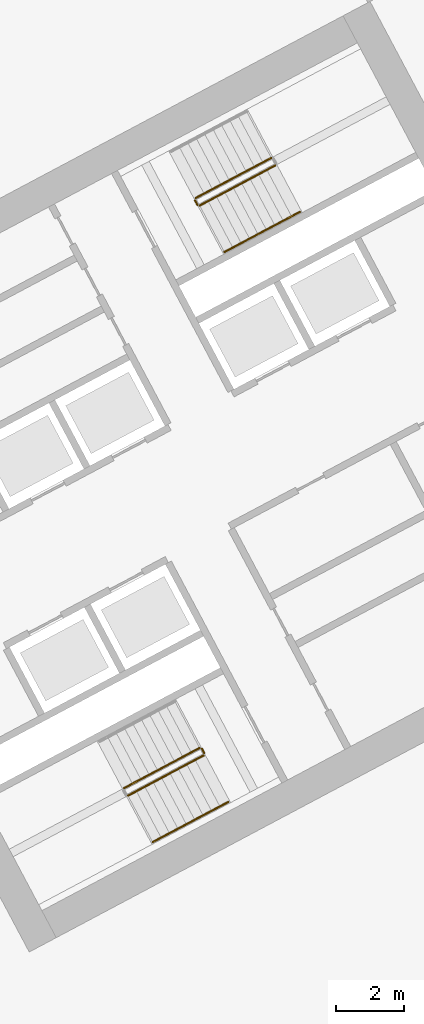
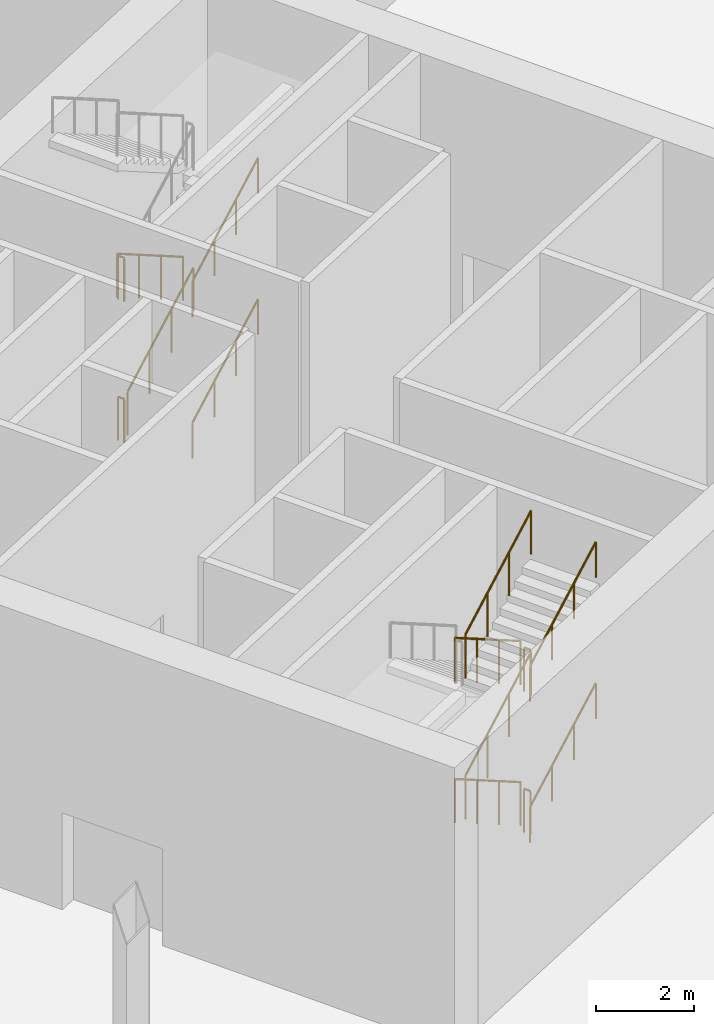
# One storey, part 52 of 57: 14 railings.
"""IFC4 building model written with IfcOpenShell, lengths in metres."""

from ifc_helpers import new_model, si_unit, direction, frame, origin, place, context, subcontext, project, spatial, polyline, outline, extrude, material, type_object, element, save


model = new_model("IFC4")

# Units and contexts
model_context = context("Model", 3, precision=1e-05, world=origin(), true_north=direction((0.0, 1.0)))
body_context = subcontext(model_context, "Body", "Model", "MODEL_VIEW")
ifc_project = project(units=[si_unit("LENGTHUNIT", "METRE"), si_unit("AREAUNIT", "SQUARE_METRE"), si_unit("VOLUMEUNIT", "CUBIC_METRE"), si_unit("PLANEANGLEUNIT", "RADIAN"), si_unit("MASSUNIT", "GRAM", prefix="KILO")], contexts=[model_context])

# Site, building, storey
site_placement = place(None, origin())
site = spatial("IfcSite", under=ifc_project, at=site_placement, CompositionType="ELEMENT")
building_placement = place(site_placement, origin())
building = spatial("IfcBuilding", under=site, at=building_placement, Name="Cormorant Relay Tower", CompositionType="ELEMENT")
storey_placement = place(building_placement, origin())
storey = spatial("IfcBuildingStorey", under=building, at=storey_placement, Name="L00", CompositionType="ELEMENT", Elevation=0.0)

# Railings
ifc_material_1 = material(Name="Steel ASTM A572 Grade 50 (Fy 345 MPa)", Category="steel")
railing_type_1 = type_object("IfcRailingType", Name="Stair guard 1100", PredefinedType="GUARDRAIL", material=ifc_material_1)
railing_1_placement = place(storey_placement, frame((23.83837890625, 4.6904296875, 0.175048828125)))
element("IfcRailing", 1, at=railing_1_placement, inside=storey, type_object=railing_type_1, Name="L00 B1 stair guard 1", PredefinedType="GUARDRAIL", context=body_context, shape_type="SweptSolid", body=[
    extrude(outline(polyline([(0.022216796875, 0.00927734375), (0.00927734375, 0.022216796875), (-0.00927734375, 0.022216796875), (-0.022216796875, 0.00927734375), (-0.022216796875, -0.00927734375), (-0.00927734375, -0.022216796875), (0.00927734375, -0.022216796875), (0.022216796875, -0.00927734375), (0.022216796875, 0.00927734375)])), frame((0.0, 0.0, 1.076171875), z_axis=(-0.74875116571, -0.398118076479, 0.529975177748), x_axis=(0.4694715809, -0.882947583228, 0.0)), (0.0, 0.0, 1.0), 2.9716796875),
    extrude(outline(polyline([(0.019287109375, 0.008056640625), (0.008056640625, 0.019287109375), (-0.008056640625, 0.019287109375), (-0.019287109375, 0.008056640625), (-0.019287109375, -0.008056640625), (-0.008056640625, -0.019287109375), (0.008056640625, -0.019287109375), (0.019287109375, -0.008056640625), (0.019287109375, 0.008056640625)])), origin(), (0.0, 0.0, 1.0), 1.052001953125),
    extrude(outline(polyline([(0.019287109375, 0.008056640625), (0.008056640625, 0.019287109375), (-0.008056640625, 0.019287109375), (-0.019287109375, 0.008056640625), (-0.019287109375, -0.008056640625), (-0.008056640625, -0.019287109375), (0.008056640625, -0.019287109375), (0.019287109375, -0.008056640625), (0.019287109375, 0.008056640625)])), frame((-0.74169921875, -0.394287109375, 0.52490234375)), (0.0, 0.0, 1.0), 1.052001953125),
    extrude(outline(polyline([(0.019287109375, 0.008056640625), (0.008056640625, 0.019287109375), (-0.008056640625, 0.019287109375), (-0.019287109375, 0.008056640625), (-0.019287109375, -0.008056640625), (-0.008056640625, -0.019287109375), (0.008056640625, -0.019287109375), (0.019287109375, -0.008056640625), (0.019287109375, 0.008056640625)])), frame((-1.4833984375, -0.788818359375, 1.050048828125)), (0.0, 0.0, 1.0), 1.052001953125),
    extrude(outline(polyline([(0.019287109375, 0.008056640625), (0.008056640625, 0.019287109375), (-0.008056640625, 0.019287109375), (-0.019287109375, 0.008056640625), (-0.019287109375, -0.008056640625), (-0.008056640625, -0.019287109375), (0.008056640625, -0.019287109375), (0.019287109375, -0.008056640625), (0.019287109375, 0.008056640625)])), frame((-2.22509765625, -1.18310546875, 1.574951171875)), (0.0, 0.0, 1.0), 1.052001953125),
])
railing_2_placement = place(storey_placement, frame((21.730712890625, 3.28662109375, 1.925048828125)))
element("IfcRailing", 2, at=railing_2_placement, inside=storey, type_object=railing_type_1, Name="L00 B1 stair guard 3", PredefinedType="GUARDRAIL", context=body_context, shape_type="SweptSolid", body=[
    extrude(outline(polyline([(0.022216796875, 0.00927734375), (0.00927734375, 0.022216796875), (-0.00927734375, 0.022216796875), (-0.022216796875, 0.00927734375), (-0.022216796875, -0.00927734375), (-0.00927734375, -0.022216796875), (0.00927734375, -0.022216796875), (0.022216796875, -0.00927734375), (0.022216796875, 0.00927734375)])), frame((0.0, 0.0, 1.076171875), z_axis=(0.748715066256, 0.398142566781, 0.530007779262), x_axis=(-0.469511741669, 0.882926228195, 0.0)), (0.0, 0.0, 1.0), 2.9716796875),
    extrude(outline(polyline([(0.019287109375, 0.008056640625), (0.008056640625, 0.019287109375), (-0.008056640625, 0.019287109375), (-0.019287109375, 0.008056640625), (-0.019287109375, -0.008056640625), (-0.008056640625, -0.019287109375), (0.008056640625, -0.019287109375), (0.019287109375, -0.008056640625), (0.019287109375, 0.008056640625)])), origin(), (0.0, 0.0, 1.0), 1.052001953125),
    extrude(outline(polyline([(0.019287109375, 0.008056640625), (0.008056640625, 0.019287109375), (-0.008056640625, 0.019287109375), (-0.019287109375, 0.008056640625), (-0.019287109375, -0.008056640625), (-0.008056640625, -0.019287109375), (0.008056640625, -0.019287109375), (0.019287109375, -0.008056640625), (0.019287109375, 0.008056640625)])), frame((0.74169921875, 0.394287109375, 0.52490234375)), (0.0, 0.0, 1.0), 1.052001953125),
    extrude(outline(polyline([(0.019287109375, 0.008056640625), (0.008056640625, 0.019287109375), (-0.008056640625, 0.019287109375), (-0.019287109375, 0.008056640625), (-0.019287109375, -0.008056640625), (-0.008056640625, -0.019287109375), (0.008056640625, -0.019287109375), (0.019287109375, -0.008056640625), (0.019287109375, 0.008056640625)])), frame((1.483154296875, 0.788818359375, 1.050048828125)), (0.0, 0.0, 1.0), 1.052001953125),
    extrude(outline(polyline([(0.019287109375, 0.008056640625), (0.008056640625, 0.019287109375), (-0.008056640625, 0.019287109375), (-0.019287109375, 0.008056640625), (-0.019287109375, -0.008056640625), (-0.008056640625, -0.019287109375), (0.008056640625, -0.019287109375), (0.019287109375, -0.008056640625), (0.019287109375, 0.008056640625)])), frame((2.224853515625, 1.18310546875, 1.574951171875)), (0.0, 0.0, 1.0), 1.052001953125),
])
railing_3_placement = place(storey_placement, frame((23.906005859375, 4.669677734375, 3.5)))
element("IfcRailing", 3, at=railing_3_placement, inside=storey, type_object=railing_type_1, Name="L00 B1 stair guard 4", PredefinedType="GUARDRAIL", context=body_context, shape_type="SweptSolid", body=[
    extrude(outline(polyline([(0.022216796875, 0.00927734375), (0.00927734375, 0.022216796875), (-0.00927734375, 0.022216796875), (-0.022216796875, 0.00927734375), (-0.022216796875, -0.00927734375), (-0.00927734375, -0.022216796875), (0.00927734375, -0.022216796875), (0.022216796875, -0.00927734375), (0.022216796875, 0.00927734375)])), frame((0.0, 0.0, 1.076171875), z_axis=(0.469234640946, -0.883073525669, 0.0), x_axis=(0.883073525669, 0.469234640946, 0.0)), (0.0, 0.0, 1.0), 0.14990234375),
    extrude(outline(polyline([(0.019287109375, 0.008056640625), (0.008056640625, 0.019287109375), (-0.008056640625, 0.019287109375), (-0.019287109375, 0.008056640625), (-0.019287109375, -0.008056640625), (-0.008056640625, -0.019287109375), (0.008056640625, -0.019287109375), (0.019287109375, -0.008056640625), (0.019287109375, 0.008056640625)])), origin(), (0.0, 0.0, 1.0), 1.052001953125),
    extrude(outline(polyline([(0.019287109375, 0.008056640625), (0.008056640625, 0.019287109375), (-0.008056640625, 0.019287109375), (-0.019287109375, 0.008056640625), (-0.019287109375, -0.008056640625), (-0.008056640625, -0.019287109375), (0.008056640625, -0.019287109375), (0.019287109375, -0.008056640625), (0.019287109375, 0.008056640625)])), frame((0.0703125, -0.13232421875, 0.0)), (0.0, 0.0, 1.0), 1.052001953125),
])
railing_4_placement = place(storey_placement, frame((23.83837890625, 4.6904296875, 3.675048828125)))
element("IfcRailing", 4, at=railing_4_placement, inside=storey, type_object=railing_type_1, Name="L00 B1 stair guard 5", PredefinedType="GUARDRAIL", context=body_context, shape_type="SweptSolid", body=[
    extrude(outline(polyline([(0.022216796875, 0.00927734375), (0.00927734375, 0.022216796875), (-0.00927734375, 0.022216796875), (-0.022216796875, 0.00927734375), (-0.022216796875, -0.00927734375), (-0.00927734375, -0.022216796875), (0.00927734375, -0.022216796875), (0.022216796875, -0.00927734375), (0.022216796875, 0.00927734375)])), frame((0.0, 0.0, 1.076171875), z_axis=(-0.74875116571, -0.398118076479, 0.529975177748), x_axis=(0.4694715809, -0.882947583228, 0.0)), (0.0, 0.0, 1.0), 2.9716796875),
    extrude(outline(polyline([(0.019287109375, 0.008056640625), (0.008056640625, 0.019287109375), (-0.008056640625, 0.019287109375), (-0.019287109375, 0.008056640625), (-0.019287109375, -0.008056640625), (-0.008056640625, -0.019287109375), (0.008056640625, -0.019287109375), (0.019287109375, -0.008056640625), (0.019287109375, 0.008056640625)])), origin(), (0.0, 0.0, 1.0), 1.052001953125),
    extrude(outline(polyline([(0.019287109375, 0.008056640625), (0.008056640625, 0.019287109375), (-0.008056640625, 0.019287109375), (-0.019287109375, 0.008056640625), (-0.019287109375, -0.008056640625), (-0.008056640625, -0.019287109375), (0.008056640625, -0.019287109375), (0.019287109375, -0.008056640625), (0.019287109375, 0.008056640625)])), frame((-0.74169921875, -0.394287109375, 0.52490234375)), (0.0, 0.0, 1.0), 1.052001953125),
    extrude(outline(polyline([(0.019287109375, 0.008056640625), (0.008056640625, 0.019287109375), (-0.008056640625, 0.019287109375), (-0.019287109375, 0.008056640625), (-0.019287109375, -0.008056640625), (-0.008056640625, -0.019287109375), (0.008056640625, -0.019287109375), (0.019287109375, -0.008056640625), (0.019287109375, 0.008056640625)])), frame((-1.4833984375, -0.788818359375, 1.050048828125)), (0.0, 0.0, 1.0), 1.052001953125),
    extrude(outline(polyline([(0.019287109375, 0.008056640625), (0.008056640625, 0.019287109375), (-0.008056640625, 0.019287109375), (-0.019287109375, 0.008056640625), (-0.019287109375, -0.008056640625), (-0.008056640625, -0.019287109375), (0.008056640625, -0.019287109375), (0.019287109375, -0.008056640625), (0.019287109375, 0.008056640625)])), frame((-2.22509765625, -1.18310546875, 1.574951171875)), (0.0, 0.0, 1.0), 1.052001953125),
])
railing_5_placement = place(storey_placement, frame((21.730712890625, 3.28662109375, 5.425048828125)))
element("IfcRailing", 5, at=railing_5_placement, inside=storey, type_object=railing_type_1, Name="L00 B1 stair guard 7", PredefinedType="GUARDRAIL", context=body_context, shape_type="SweptSolid", body=[
    extrude(outline(polyline([(0.022216796875, 0.00927734375), (0.00927734375, 0.022216796875), (-0.00927734375, 0.022216796875), (-0.022216796875, 0.00927734375), (-0.022216796875, -0.00927734375), (-0.00927734375, -0.022216796875), (0.00927734375, -0.022216796875), (0.022216796875, -0.00927734375), (0.022216796875, 0.00927734375)])), frame((0.0, 0.0, 1.076171875), z_axis=(0.748715066256, 0.398142566781, 0.530007779262), x_axis=(-0.469511741669, 0.882926228195, 0.0)), (0.0, 0.0, 1.0), 2.9716796875),
    extrude(outline(polyline([(0.019287109375, 0.008056640625), (0.008056640625, 0.019287109375), (-0.008056640625, 0.019287109375), (-0.019287109375, 0.008056640625), (-0.019287109375, -0.008056640625), (-0.008056640625, -0.019287109375), (0.008056640625, -0.019287109375), (0.019287109375, -0.008056640625), (0.019287109375, 0.008056640625)])), origin(), (0.0, 0.0, 1.0), 1.052001953125),
    extrude(outline(polyline([(0.019287109375, 0.008056640625), (0.008056640625, 0.019287109375), (-0.008056640625, 0.019287109375), (-0.019287109375, 0.008056640625), (-0.019287109375, -0.008056640625), (-0.008056640625, -0.019287109375), (0.008056640625, -0.019287109375), (0.019287109375, -0.008056640625), (0.019287109375, 0.008056640625)])), frame((0.74169921875, 0.394287109375, 0.52490234375)), (0.0, 0.0, 1.0), 1.052001953125),
    extrude(outline(polyline([(0.019287109375, 0.008056640625), (0.008056640625, 0.019287109375), (-0.008056640625, 0.019287109375), (-0.019287109375, 0.008056640625), (-0.019287109375, -0.008056640625), (-0.008056640625, -0.019287109375), (0.008056640625, -0.019287109375), (0.019287109375, -0.008056640625), (0.019287109375, 0.008056640625)])), frame((1.483154296875, 0.788818359375, 1.050048828125)), (0.0, 0.0, 1.0), 1.052001953125),
    extrude(outline(polyline([(0.019287109375, 0.008056640625), (0.008056640625, 0.019287109375), (-0.008056640625, 0.019287109375), (-0.019287109375, 0.008056640625), (-0.019287109375, -0.008056640625), (-0.008056640625, -0.019287109375), (0.008056640625, -0.019287109375), (0.019287109375, -0.008056640625), (0.019287109375, 0.008056640625)])), frame((2.224853515625, 1.18310546875, 1.574951171875)), (0.0, 0.0, 1.0), 1.052001953125),
])
railing_6_placement = place(storey_placement, frame((23.906005859375, 4.669677734375, 0.0)))
element("IfcRailing", 6, at=railing_6_placement, inside=storey, type_object=railing_type_1, Name="L00 B1 stair guard 8", PredefinedType="GUARDRAIL", context=body_context, shape_type="SweptSolid", body=[
    extrude(outline(polyline([(0.022216796875, 0.00927734375), (0.00927734375, 0.022216796875), (-0.00927734375, 0.022216796875), (-0.022216796875, 0.00927734375), (-0.022216796875, -0.00927734375), (-0.00927734375, -0.022216796875), (0.00927734375, -0.022216796875), (0.022216796875, -0.00927734375), (0.022216796875, 0.00927734375)])), frame((0.0, 0.0, 1.076171875), z_axis=(0.469234640946, -0.883073525669, 0.0), x_axis=(0.883073525669, 0.469234640946, 0.0)), (0.0, 0.0, 1.0), 0.14990234375),
    extrude(outline(polyline([(0.019287109375, 0.008056640625), (0.008056640625, 0.019287109375), (-0.008056640625, 0.019287109375), (-0.019287109375, 0.008056640625), (-0.019287109375, -0.008056640625), (-0.008056640625, -0.019287109375), (0.008056640625, -0.019287109375), (0.019287109375, -0.008056640625), (0.019287109375, 0.008056640625)])), origin(), (0.0, 0.0, 1.0), 1.052001953125),
    extrude(outline(polyline([(0.019287109375, 0.008056640625), (0.008056640625, 0.019287109375), (-0.008056640625, 0.019287109375), (-0.019287109375, 0.008056640625), (-0.019287109375, -0.008056640625), (-0.008056640625, -0.019287109375), (0.008056640625, -0.019287109375), (0.019287109375, -0.008056640625), (0.019287109375, 0.008056640625)])), frame((0.0703125, -0.13232421875, 0.0)), (0.0, 0.0, 1.0), 1.052001953125),
])
railing_7_placement = place(storey_placement, frame((23.8408203125, 20.6611328125, 0.175048828125)))
element("IfcRailing", 7, at=railing_7_placement, inside=storey, type_object=railing_type_1, Name="L00 B2 stair guard 1", PredefinedType="GUARDRAIL", context=body_context, shape_type="SweptSolid", body=[
    extrude(outline(polyline([(0.022216796875, 0.00927734375), (0.00927734375, 0.022216796875), (-0.00927734375, 0.022216796875), (-0.022216796875, 0.00927734375), (-0.022216796875, -0.00927734375), (-0.00927734375, -0.022216796875), (0.00927734375, -0.022216796875), (0.022216796875, -0.00927734375), (0.022216796875, 0.00927734375)])), frame((0.0, 0.0, 1.076171875), z_axis=(0.74877565377, 0.398048940368, 0.529992510695), x_axis=(-0.469396049876, 0.882987739643, 0.0)), (0.0, 0.0, 1.0), 2.9716796875),
    extrude(outline(polyline([(0.019287109375, 0.008056640625), (0.008056640625, 0.019287109375), (-0.008056640625, 0.019287109375), (-0.019287109375, 0.008056640625), (-0.019287109375, -0.008056640625), (-0.008056640625, -0.019287109375), (0.008056640625, -0.019287109375), (0.019287109375, -0.008056640625), (0.019287109375, 0.008056640625)])), origin(), (0.0, 0.0, 1.0), 1.052001953125),
    extrude(outline(polyline([(0.019287109375, 0.008056640625), (0.008056640625, 0.019287109375), (-0.008056640625, 0.019287109375), (-0.019287109375, 0.008056640625), (-0.019287109375, -0.008056640625), (-0.008056640625, -0.019287109375), (0.008056640625, -0.019287109375), (0.019287109375, -0.008056640625), (0.019287109375, 0.008056640625)])), frame((0.74169921875, 0.394287109375, 0.52490234375)), (0.0, 0.0, 1.0), 1.052001953125),
    extrude(outline(polyline([(0.019287109375, 0.008056640625), (0.008056640625, 0.019287109375), (-0.008056640625, 0.019287109375), (-0.019287109375, 0.008056640625), (-0.019287109375, -0.008056640625), (-0.008056640625, -0.019287109375), (0.008056640625, -0.019287109375), (0.019287109375, -0.008056640625), (0.019287109375, 0.008056640625)])), frame((1.4833984375, 0.78857421875, 1.050048828125)), (0.0, 0.0, 1.0), 1.052001953125),
    extrude(outline(polyline([(0.019287109375, 0.008056640625), (0.008056640625, 0.019287109375), (-0.008056640625, 0.019287109375), (-0.019287109375, 0.008056640625), (-0.019287109375, -0.008056640625), (-0.008056640625, -0.019287109375), (0.008056640625, -0.019287109375), (0.019287109375, -0.008056640625), (0.019287109375, 0.008056640625)])), frame((2.22509765625, 1.182861328125, 1.574951171875)), (0.0, 0.0, 1.0), 1.052001953125),
])
railing_8_placement = place(storey_placement, frame((25.948486328125, 22.06494140625, 1.925048828125)))
element("IfcRailing", 8, at=railing_8_placement, inside=storey, type_object=railing_type_1, Name="L00 B2 stair guard 3", PredefinedType="GUARDRAIL", context=body_context, shape_type="SweptSolid", body=[
    extrude(outline(polyline([(0.022216796875, 0.00927734375), (0.00927734375, 0.022216796875), (-0.00927734375, 0.022216796875), (-0.022216796875, 0.00927734375), (-0.022216796875, -0.00927734375), (-0.00927734375, -0.022216796875), (0.00927734375, -0.022216796875), (0.022216796875, -0.00927734375), (0.022216796875, 0.00927734375)])), frame((0.0, 0.0, 1.076171875), z_axis=(-0.74875116571, -0.398118076479, 0.529975177748), x_axis=(0.4694715809, -0.882947583228, 0.0)), (0.0, 0.0, 1.0), 2.9716796875),
    extrude(outline(polyline([(0.019287109375, 0.008056640625), (0.008056640625, 0.019287109375), (-0.008056640625, 0.019287109375), (-0.019287109375, 0.008056640625), (-0.019287109375, -0.008056640625), (-0.008056640625, -0.019287109375), (0.008056640625, -0.019287109375), (0.019287109375, -0.008056640625), (0.019287109375, 0.008056640625)])), origin(), (0.0, 0.0, 1.0), 1.052001953125),
    extrude(outline(polyline([(0.019287109375, 0.008056640625), (0.008056640625, 0.019287109375), (-0.008056640625, 0.019287109375), (-0.019287109375, 0.008056640625), (-0.019287109375, -0.008056640625), (-0.008056640625, -0.019287109375), (0.008056640625, -0.019287109375), (0.019287109375, -0.008056640625), (0.019287109375, 0.008056640625)])), frame((-0.74169921875, -0.394287109375, 0.52490234375)), (0.0, 0.0, 1.0), 1.052001953125),
    extrude(outline(polyline([(0.019287109375, 0.008056640625), (0.008056640625, 0.019287109375), (-0.008056640625, 0.019287109375), (-0.019287109375, 0.008056640625), (-0.019287109375, -0.008056640625), (-0.008056640625, -0.019287109375), (0.008056640625, -0.019287109375), (0.019287109375, -0.008056640625), (0.019287109375, 0.008056640625)])), frame((-1.4833984375, -0.788818359375, 1.050048828125)), (0.0, 0.0, 1.0), 1.052001953125),
    extrude(outline(polyline([(0.019287109375, 0.008056640625), (0.008056640625, 0.019287109375), (-0.008056640625, 0.019287109375), (-0.019287109375, 0.008056640625), (-0.019287109375, -0.008056640625), (-0.008056640625, -0.019287109375), (0.008056640625, -0.019287109375), (0.019287109375, -0.008056640625), (0.019287109375, 0.008056640625)])), frame((-2.22509765625, -1.18310546875, 1.574951171875)), (0.0, 0.0, 1.0), 1.052001953125),
])
for number, where, name in (
    (9, (23.773193359375, 20.681640625, 3.5), "L00 B2 stair guard 4"),
    (10, (23.773193359375, 20.681640625, 0.0), "L00 B2 stair guard 8"),
):
    element("IfcRailing", number, at=place(storey_placement, frame(where)), inside=storey, type_object=railing_type_1, Name=name, PredefinedType="GUARDRAIL", context=body_context, shape_type="SweptSolid", body=[
        extrude(outline(polyline([(0.022216796875, 0.00927734375), (0.00927734375, 0.022216796875), (-0.00927734375, 0.022216796875), (-0.022216796875, 0.00927734375), (-0.022216796875, -0.00927734375), (-0.00927734375, -0.022216796875), (0.00927734375, -0.022216796875), (0.022216796875, -0.00927734375), (0.022216796875, 0.00927734375)])), frame((0.0, 0.0, 1.076171875), z_axis=(-0.46856034887, 0.8834314911, 0.0), x_axis=(-0.8834314911, -0.46856034887, 0.0)), (0.0, 0.0, 1.0), 0.150146484375),
        extrude(outline(polyline([(0.019287109375, 0.008056640625), (0.008056640625, 0.019287109375), (-0.008056640625, 0.019287109375), (-0.019287109375, 0.008056640625), (-0.019287109375, -0.008056640625), (-0.008056640625, -0.019287109375), (0.008056640625, -0.019287109375), (0.019287109375, -0.008056640625), (0.019287109375, 0.008056640625)])), origin(), (0.0, 0.0, 1.0), 1.052001953125),
        extrude(outline(polyline([(0.019287109375, 0.008056640625), (0.008056640625, 0.019287109375), (-0.008056640625, 0.019287109375), (-0.019287109375, 0.008056640625), (-0.019287109375, -0.008056640625), (-0.008056640625, -0.019287109375), (0.008056640625, -0.019287109375), (0.019287109375, -0.008056640625), (0.019287109375, 0.008056640625)])), frame((-0.0703125, 0.132568359375, 0.0)), (0.0, 0.0, 1.0), 1.052001953125),
    ])
ifc_material_2 = material(Name="Steel ASTM A572 Grade 50 (Fy 345 MPa)", Category="steel")
railing_type_2 = type_object("IfcRailingType", Name="Stair handrail 900", PredefinedType="HANDRAIL", material=ifc_material_2)
railing_9_placement = place(storey_placement, frame((22.458251953125, 1.91796875, 1.925048828125)))
element("IfcRailing", 11, at=railing_9_placement, inside=storey, type_object=railing_type_2, Name="L00 B1 stair handrail 2", PredefinedType="HANDRAIL", context=body_context, shape_type="SweptSolid", body=[
    extrude(outline(polyline([(0.022216796875, 0.00927734375), (0.00927734375, 0.022216796875), (-0.00927734375, 0.022216796875), (-0.022216796875, 0.00927734375), (-0.022216796875, -0.00927734375), (-0.00927734375, -0.022216796875), (0.00927734375, -0.022216796875), (0.022216796875, -0.00927734375), (0.022216796875, 0.00927734375)])), frame((0.0, 0.0, 0.8759765625), z_axis=(0.74875116571, 0.398118076479, 0.529975177748), x_axis=(-0.4694715809, 0.882947583228, 0.0)), (0.0, 0.0, 1.0), 2.9716796875),
    extrude(outline(polyline([(0.019287109375, 0.008056640625), (0.008056640625, 0.019287109375), (-0.008056640625, 0.019287109375), (-0.019287109375, 0.008056640625), (-0.019287109375, -0.008056640625), (-0.008056640625, -0.019287109375), (0.008056640625, -0.019287109375), (0.019287109375, -0.008056640625), (0.019287109375, 0.008056640625)])), origin(), (0.0, 0.0, 1.0), 0.851806640625),
    extrude(outline(polyline([(0.019287109375, 0.008056640625), (0.008056640625, 0.019287109375), (-0.008056640625, 0.019287109375), (-0.019287109375, 0.008056640625), (-0.019287109375, -0.008056640625), (-0.008056640625, -0.019287109375), (0.008056640625, -0.019287109375), (0.019287109375, -0.008056640625), (0.019287109375, 0.008056640625)])), frame((0.74169921875, 0.394287109375, 0.52490234375)), (0.0, 0.0, 1.0), 0.851806640625),
    extrude(outline(polyline([(0.019287109375, 0.008056640625), (0.008056640625, 0.019287109375), (-0.008056640625, 0.019287109375), (-0.019287109375, 0.008056640625), (-0.019287109375, -0.008056640625), (-0.008056640625, -0.019287109375), (0.008056640625, -0.019287109375), (0.019287109375, -0.008056640625), (0.019287109375, 0.008056640625)])), frame((1.4833984375, 0.788818359375, 1.050048828125)), (0.0, 0.0, 1.0), 0.851806640625),
    extrude(outline(polyline([(0.019287109375, 0.008056640625), (0.008056640625, 0.019287109375), (-0.008056640625, 0.019287109375), (-0.019287109375, 0.008056640625), (-0.019287109375, -0.008056640625), (-0.008056640625, -0.019287109375), (0.008056640625, -0.019287109375), (0.019287109375, -0.008056640625), (0.019287109375, 0.008056640625)])), frame((2.22509765625, 1.18310546875, 1.574951171875)), (0.0, 0.0, 1.0), 0.851806640625),
])
railing_10_placement = place(storey_placement, frame((22.458251953125, 1.91796875, 5.425048828125)))
element("IfcRailing", 12, at=railing_10_placement, inside=storey, type_object=railing_type_2, Name="L00 B1 stair handrail 4", PredefinedType="HANDRAIL", context=body_context, shape_type="SweptSolid", body=[
    extrude(outline(polyline([(0.022216796875, 0.00927734375), (0.00927734375, 0.022216796875), (-0.00927734375, 0.022216796875), (-0.022216796875, 0.00927734375), (-0.022216796875, -0.00927734375), (-0.00927734375, -0.022216796875), (0.00927734375, -0.022216796875), (0.022216796875, -0.00927734375), (0.022216796875, 0.00927734375)])), frame((0.0, 0.0, 0.8759765625), z_axis=(0.74875116571, 0.398118076479, 0.529975177748), x_axis=(-0.4694715809, 0.882947583228, 0.0)), (0.0, 0.0, 1.0), 2.9716796875),
    extrude(outline(polyline([(0.019287109375, 0.008056640625), (0.008056640625, 0.019287109375), (-0.008056640625, 0.019287109375), (-0.019287109375, 0.008056640625), (-0.019287109375, -0.008056640625), (-0.008056640625, -0.019287109375), (0.008056640625, -0.019287109375), (0.019287109375, -0.008056640625), (0.019287109375, 0.008056640625)])), origin(), (0.0, 0.0, 1.0), 0.851806640625),
    extrude(outline(polyline([(0.019287109375, 0.008056640625), (0.008056640625, 0.019287109375), (-0.008056640625, 0.019287109375), (-0.019287109375, 0.008056640625), (-0.019287109375, -0.008056640625), (-0.008056640625, -0.019287109375), (0.008056640625, -0.019287109375), (0.019287109375, -0.008056640625), (0.019287109375, 0.008056640625)])), frame((0.74169921875, 0.394287109375, 0.52490234375)), (0.0, 0.0, 1.0), 0.851806640625),
    extrude(outline(polyline([(0.019287109375, 0.008056640625), (0.008056640625, 0.019287109375), (-0.008056640625, 0.019287109375), (-0.019287109375, 0.008056640625), (-0.019287109375, -0.008056640625), (-0.008056640625, -0.019287109375), (0.008056640625, -0.019287109375), (0.019287109375, -0.008056640625), (0.019287109375, 0.008056640625)])), frame((1.4833984375, 0.788818359375, 1.050048828125)), (0.0, 0.0, 1.0), 0.851806640625),
    extrude(outline(polyline([(0.019287109375, 0.008056640625), (0.008056640625, 0.019287109375), (-0.008056640625, 0.019287109375), (-0.019287109375, 0.008056640625), (-0.019287109375, -0.008056640625), (-0.008056640625, -0.019287109375), (0.008056640625, -0.019287109375), (0.019287109375, -0.008056640625), (0.019287109375, 0.008056640625)])), frame((2.22509765625, 1.18310546875, 1.574951171875)), (0.0, 0.0, 1.0), 0.851806640625),
])
railing_11_placement = place(storey_placement, frame((24.568603515625, 19.29248046875, 0.175048828125)))
element("IfcRailing", 13, at=railing_11_placement, inside=storey, type_object=railing_type_2, Name="L00 B2 stair handrail 1", PredefinedType="HANDRAIL", context=body_context, shape_type="SweptSolid", body=[
    extrude(outline(polyline([(0.022216796875, 0.00927734375), (0.00927734375, 0.022216796875), (-0.00927734375, 0.022216796875), (-0.022216796875, 0.00927734375), (-0.022216796875, -0.00927734375), (-0.00927734375, -0.022216796875), (0.00927734375, -0.022216796875), (0.022216796875, -0.00927734375), (0.022216796875, 0.00927734375)])), frame((0.0, 0.0, 0.8759765625), z_axis=(0.748715066256, 0.398142566781, 0.530007779262), x_axis=(-0.469511741669, 0.882926228195, 0.0)), (0.0, 0.0, 1.0), 2.9716796875),
    extrude(outline(polyline([(0.019287109375, 0.008056640625), (0.008056640625, 0.019287109375), (-0.008056640625, 0.019287109375), (-0.019287109375, 0.008056640625), (-0.019287109375, -0.008056640625), (-0.008056640625, -0.019287109375), (0.008056640625, -0.019287109375), (0.019287109375, -0.008056640625), (0.019287109375, 0.008056640625)])), origin(), (0.0, 0.0, 1.0), 0.851806640625),
    extrude(outline(polyline([(0.019287109375, 0.008056640625), (0.008056640625, 0.019287109375), (-0.008056640625, 0.019287109375), (-0.019287109375, 0.008056640625), (-0.019287109375, -0.008056640625), (-0.008056640625, -0.019287109375), (0.008056640625, -0.019287109375), (0.019287109375, -0.008056640625), (0.019287109375, 0.008056640625)])), frame((0.74169921875, 0.394287109375, 0.52490234375)), (0.0, 0.0, 1.0), 0.851806640625),
    extrude(outline(polyline([(0.019287109375, 0.008056640625), (0.008056640625, 0.019287109375), (-0.008056640625, 0.019287109375), (-0.019287109375, 0.008056640625), (-0.019287109375, -0.008056640625), (-0.008056640625, -0.019287109375), (0.008056640625, -0.019287109375), (0.019287109375, -0.008056640625), (0.019287109375, 0.008056640625)])), frame((1.483154296875, 0.788818359375, 1.050048828125)), (0.0, 0.0, 1.0), 0.851806640625),
    extrude(outline(polyline([(0.019287109375, 0.008056640625), (0.008056640625, 0.019287109375), (-0.008056640625, 0.019287109375), (-0.019287109375, 0.008056640625), (-0.019287109375, -0.008056640625), (-0.008056640625, -0.019287109375), (0.008056640625, -0.019287109375), (0.019287109375, -0.008056640625), (0.019287109375, 0.008056640625)])), frame((2.224853515625, 1.18310546875, 1.574951171875)), (0.0, 0.0, 1.0), 0.851806640625),
])
railing_12_placement = place(storey_placement, frame((24.568603515625, 19.29248046875, 3.675048828125)))
element("IfcRailing", 14, at=railing_12_placement, inside=storey, type_object=railing_type_2, Name="L00 B2 stair handrail 3", PredefinedType="HANDRAIL", context=body_context, shape_type="SweptSolid", body=[
    extrude(outline(polyline([(0.022216796875, 0.00927734375), (0.00927734375, 0.022216796875), (-0.00927734375, 0.022216796875), (-0.022216796875, 0.00927734375), (-0.022216796875, -0.00927734375), (-0.00927734375, -0.022216796875), (0.00927734375, -0.022216796875), (0.022216796875, -0.00927734375), (0.022216796875, 0.00927734375)])), frame((0.0, 0.0, 0.8759765625), z_axis=(0.748715066256, 0.398142566781, 0.530007779262), x_axis=(-0.469511741669, 0.882926228195, 0.0)), (0.0, 0.0, 1.0), 2.9716796875),
    extrude(outline(polyline([(0.019287109375, 0.008056640625), (0.008056640625, 0.019287109375), (-0.008056640625, 0.019287109375), (-0.019287109375, 0.008056640625), (-0.019287109375, -0.008056640625), (-0.008056640625, -0.019287109375), (0.008056640625, -0.019287109375), (0.019287109375, -0.008056640625), (0.019287109375, 0.008056640625)])), origin(), (0.0, 0.0, 1.0), 0.851806640625),
    extrude(outline(polyline([(0.019287109375, 0.008056640625), (0.008056640625, 0.019287109375), (-0.008056640625, 0.019287109375), (-0.019287109375, 0.008056640625), (-0.019287109375, -0.008056640625), (-0.008056640625, -0.019287109375), (0.008056640625, -0.019287109375), (0.019287109375, -0.008056640625), (0.019287109375, 0.008056640625)])), frame((0.74169921875, 0.394287109375, 0.52490234375)), (0.0, 0.0, 1.0), 0.851806640625),
    extrude(outline(polyline([(0.019287109375, 0.008056640625), (0.008056640625, 0.019287109375), (-0.008056640625, 0.019287109375), (-0.019287109375, 0.008056640625), (-0.019287109375, -0.008056640625), (-0.008056640625, -0.019287109375), (0.008056640625, -0.019287109375), (0.019287109375, -0.008056640625), (0.019287109375, 0.008056640625)])), frame((1.483154296875, 0.788818359375, 1.050048828125)), (0.0, 0.0, 1.0), 0.851806640625),
    extrude(outline(polyline([(0.019287109375, 0.008056640625), (0.008056640625, 0.019287109375), (-0.008056640625, 0.019287109375), (-0.019287109375, 0.008056640625), (-0.019287109375, -0.008056640625), (-0.008056640625, -0.019287109375), (0.008056640625, -0.019287109375), (0.019287109375, -0.008056640625), (0.019287109375, 0.008056640625)])), frame((2.224853515625, 1.18310546875, 1.574951171875)), (0.0, 0.0, 1.0), 0.851806640625),
])

save(model, "model.ifc")
